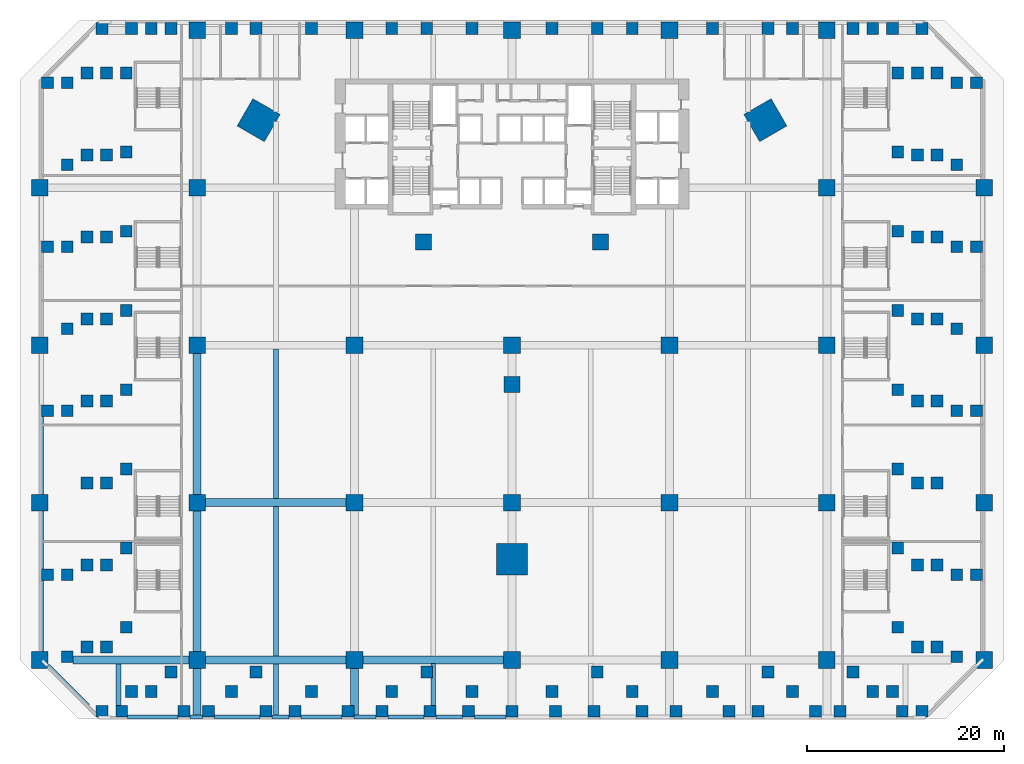
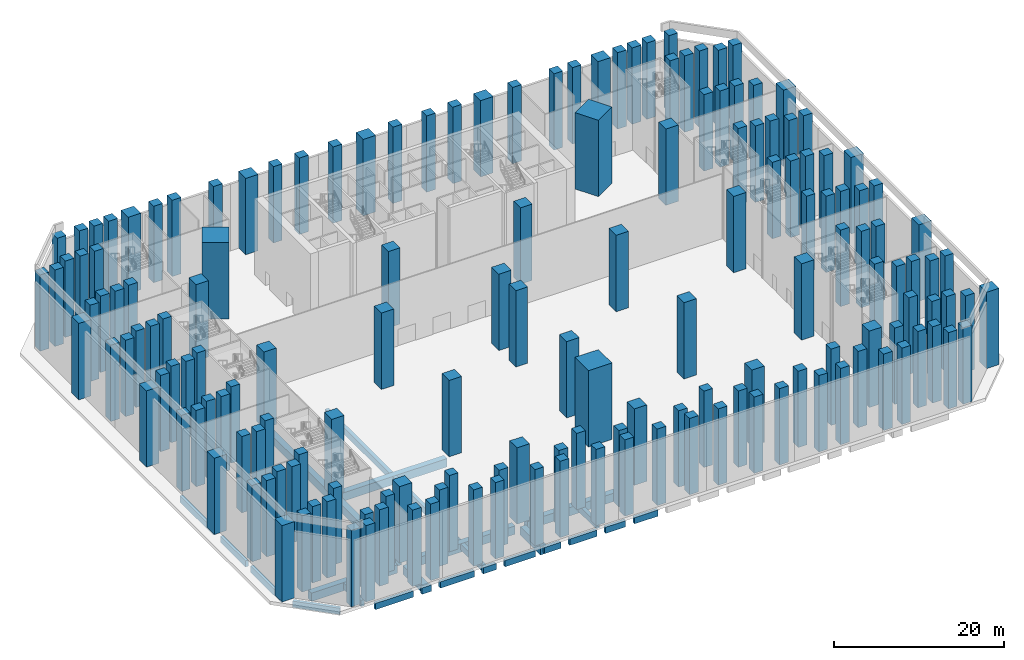
# One storey, part 1 of 31: 165 columns, 26 beams.
"""IFC4 building model written with IfcOpenShell, lengths in metres."""

from ifc_helpers import new_model, si_unit, direction, frame, origin, origin_2d, place, context, subcontext, project, spatial, rectangle, extrude, material, material_profile, profile_set, type_object, element, save


model = new_model("IFC4")

# Units and contexts
model_context = context("Model", 3, precision=1e-05, world=origin(), true_north=direction((0.0, 1.0)))
body_context = subcontext(model_context, "Body", "Model", "MODEL_VIEW")
ifc_project = project(units=[si_unit("LENGTHUNIT", "METRE"), si_unit("AREAUNIT", "SQUARE_METRE"), si_unit("VOLUMEUNIT", "CUBIC_METRE"), si_unit("PLANEANGLEUNIT", "RADIAN"), si_unit("MASSUNIT", "GRAM", prefix="KILO")], contexts=[model_context])

# Site, building, storey
site_placement = place(None, origin())
site = spatial("IfcSite", under=ifc_project, at=site_placement, CompositionType="ELEMENT")
building_placement = place(site_placement, origin())
building = spatial("IfcBuilding", under=site, at=building_placement, Name="Calabash Gate Tower", CompositionType="ELEMENT")
storey_placement = place(building_placement, frame((0.0, 0.0, 9.0)))
storey = spatial("IfcBuildingStorey", under=building, at=storey_placement, Name="L01", CompositionType="ELEMENT", Elevation=9.0)

# Columns
ifc_material_1 = material(Name="Concrete C80/95", Category="concrete")
ifc_material_profile_1 = material_profile(ifc_material_1, rectangle(XDim=1.60009765625, YDim=1.60009765625, at=origin_2d()))
ifc_profile_set_1 = profile_set([ifc_material_profile_1], Name="Concrete C80/95")
column_type_1 = type_object("IfcColumnType", Name="Interior column RC 1600x1600 Concrete C80/95", PredefinedType="COLUMN", material=ifc_profile_set_1)
for number, where, z_axis, x_axis, name in (
    (1, (-9.0, 2.5, 0.0), (0.0, 0.0, 1.0), (1.0, 0.0, 0.0), "Interior column L01 I0"),
    (2, (9.0, 2.5, 0.0), (0.0, 0.0, 1.0), (1.0, 0.0, 0.0), "Interior column L01 I1"),
    (3, (0.0, -12.0, 0.0), (0.0, 0.0, 1.0), (1.0, 0.0, 0.0), "Interior column L01 I2"),
):
    element("IfcColumn", number, at=place(storey_placement, frame(where, z_axis=z_axis, x_axis=x_axis)), inside=storey, type_object=column_type_1, Name=name, PredefinedType="COLUMN", context=body_context, shape_type="SweptSolid", body=[
        extrude(rectangle(XDim=1.60009765625, YDim=1.60009765625, at=origin_2d()), origin(), (0.0, 0.0, 1.0), 11.0),
    ])
ifc_material_2 = material(Name="Concrete C80/95", Category="concrete")
ifc_material_profile_2 = material_profile(ifc_material_2, rectangle(XDim=3.199951171875, YDim=3.199951171875, at=origin_2d()))
ifc_profile_set_2 = profile_set([ifc_material_profile_2], Name="Concrete C80/95")
column_type_2 = type_object("IfcColumnType", Name="Mega column RC 3200x3200 Concrete C80/95", PredefinedType="COLUMN", material=ifc_profile_set_2)
for number, where, z_axis, x_axis, name in (
    (4, (-25.75, 14.866943359375, 0.0), (0.0, 0.0, 1.0), (0.866025386331, -0.50000003023, 0.0), "Mega column L01 NW"),
    (5, (25.75, 14.866943359375, 0.0), (0.0, 0.0, 1.0), (-0.866025386331, -0.50000003023, 0.0), "Mega column L01 NE"),
    (6, (0.0, -29.73291015625, 0.0), (0.0, 0.0, 1.0), (0.0, 1.0, 0.0), "Mega column L01 S"),
):
    element("IfcColumn", number, at=place(storey_placement, frame(where, z_axis=z_axis, x_axis=x_axis)), inside=storey, type_object=column_type_2, Name=name, PredefinedType="COLUMN", context=body_context, shape_type="SweptSolid", body=[
        extrude(rectangle(XDim=3.199951171875, YDim=3.199951171875, at=origin_2d()), origin(), (0.0, 0.0, 1.0), 11.0),
    ])
ifc_material_3 = material(Name="Concrete C80/95", Category="concrete")
ifc_material_profile_3 = material_profile(ifc_material_3, rectangle(XDim=1.699951171875, YDim=1.699951171875, at=origin_2d()))
ifc_profile_set_3 = profile_set([ifc_material_profile_3], Name="Concrete C80/95")
column_type_3 = type_object("IfcColumnType", Name="Podium column RC 1700x1700 Concrete C80/95", PredefinedType="COLUMN", material=ifc_profile_set_3)
for number, where, z_axis, x_axis, name in (
    (7, (-48.0, -40.0, 0.0), (0.0, 0.0, 1.0), (1.0, 0.0, 0.0), "Podium column L01 G1A"),
    (8, (-48.0, -24.0, 0.0), (0.0, 0.0, 1.0), (1.0, 0.0, 0.0), "Podium column L01 G1B"),
    (9, (-48.0, -8.0, 0.0), (0.0, 0.0, 1.0), (1.0, 0.0, 0.0), "Podium column L01 G1C"),
    (10, (-48.0, 8.0, 0.0), (0.0, 0.0, 1.0), (1.0, 0.0, 0.0), "Podium column L01 G1D"),
    (11, (-32.0, -40.0, 0.0), (0.0, 0.0, 1.0), (1.0, 0.0, 0.0), "Podium column L01 G2A"),
    (12, (-32.0, -24.0, 0.0), (0.0, 0.0, 1.0), (1.0, 0.0, 0.0), "Podium column L01 G2B"),
    (13, (-32.0, -8.0, 0.0), (0.0, 0.0, 1.0), (1.0, 0.0, 0.0), "Podium column L01 G2C"),
    (14, (-32.0, 8.0, 0.0), (0.0, 0.0, 1.0), (1.0, 0.0, 0.0), "Podium column L01 G2D"),
    (15, (-32.0, 24.0, 0.0), (0.0, 0.0, 1.0), (1.0, 0.0, 0.0), "Podium column L01 G2E"),
    (16, (-16.0, -40.0, 0.0), (0.0, 0.0, 1.0), (1.0, 0.0, 0.0), "Podium column L01 G3A"),
    (17, (-16.0, -24.0, 0.0), (0.0, 0.0, 1.0), (1.0, 0.0, 0.0), "Podium column L01 G3B"),
    (18, (-16.0, -8.0, 0.0), (0.0, 0.0, 1.0), (1.0, 0.0, 0.0), "Podium column L01 G3C"),
    (19, (-16.0, 24.0, 0.0), (0.0, 0.0, 1.0), (1.0, 0.0, 0.0), "Podium column L01 G3E"),
    (20, (0.0, -40.0, 0.0), (0.0, 0.0, 1.0), (1.0, 0.0, 0.0), "Podium column L01 G4A"),
    (21, (0.0, -24.0, 0.0), (0.0, 0.0, 1.0), (1.0, 0.0, 0.0), "Podium column L01 G4B"),
    (22, (0.0, -8.0, 0.0), (0.0, 0.0, 1.0), (1.0, 0.0, 0.0), "Podium column L01 G4C"),
    (23, (0.0, 24.0, 0.0), (0.0, 0.0, 1.0), (1.0, 0.0, 0.0), "Podium column L01 G4E"),
    (24, (16.0, -40.0, 0.0), (0.0, 0.0, 1.0), (1.0, 0.0, 0.0), "Podium column L01 G5A"),
    (25, (16.0, -24.0, 0.0), (0.0, 0.0, 1.0), (1.0, 0.0, 0.0), "Podium column L01 G5B"),
    (26, (16.0, -8.0, 0.0), (0.0, 0.0, 1.0), (1.0, 0.0, 0.0), "Podium column L01 G5C"),
    (27, (16.0, 24.0, 0.0), (0.0, 0.0, 1.0), (1.0, 0.0, 0.0), "Podium column L01 G5E"),
    (28, (32.0, -40.0, 0.0), (0.0, 0.0, 1.0), (1.0, 0.0, 0.0), "Podium column L01 G6A"),
    (29, (32.0, -24.0, 0.0), (0.0, 0.0, 1.0), (1.0, 0.0, 0.0), "Podium column L01 G6B"),
    (30, (32.0, -8.0, 0.0), (0.0, 0.0, 1.0), (1.0, 0.0, 0.0), "Podium column L01 G6C"),
    (31, (32.0, 8.0, 0.0), (0.0, 0.0, 1.0), (1.0, 0.0, 0.0), "Podium column L01 G6D"),
    (32, (32.0, 24.0, 0.0), (0.0, 0.0, 1.0), (1.0, 0.0, 0.0), "Podium column L01 G6E"),
    (33, (48.0, -40.0, 0.0), (0.0, 0.0, 1.0), (1.0, 0.0, 0.0), "Podium column L01 G7A"),
    (34, (48.0, -24.0, 0.0), (0.0, 0.0, 1.0), (1.0, 0.0, 0.0), "Podium column L01 G7B"),
    (35, (48.0, -8.0, 0.0), (0.0, 0.0, 1.0), (1.0, 0.0, 0.0), "Podium column L01 G7C"),
    (36, (48.0, 8.0, 0.0), (0.0, 0.0, 1.0), (1.0, 0.0, 0.0), "Podium column L01 G7D"),
):
    element("IfcColumn", number, at=place(storey_placement, frame(where, z_axis=z_axis, x_axis=x_axis)), inside=storey, type_object=column_type_3, Name=name, PredefinedType="COLUMN", context=body_context, shape_type="SweptSolid", body=[
        extrude(rectangle(XDim=1.699951171875, YDim=1.699951171875, at=origin_2d()), origin(), (0.0, 0.0, 1.0), 11.0),
    ])
ifc_material_4 = material(Name="Concrete C80/95", Category="concrete")
ifc_material_profile_4 = material_profile(ifc_material_4, rectangle(XDim=1.199951171875, YDim=1.199951171875, at=origin_2d()))
ifc_profile_set_4 = profile_set([ifc_material_profile_4], Name="Concrete C80/95")
column_type_4 = type_object("IfcColumnType", Name="Podium edge column RC 1200x1200 Concrete C80/95", PredefinedType="COLUMN", material=ifc_profile_set_4)
for number, where, z_axis, x_axis, name in (
    (37, (-34.6689453125, -41.199951171875, 0.0), (0.0, 0.0, 1.0), (1.0, 0.0, 0.0), "Podium edge column L01 E01"),
    (38, (-39.199951171875, -36.6689453125, 0.0), (0.0, 0.0, 1.0), (1.0, 0.0, 0.0), "Podium edge column L01 E02"),
    (39, (-39.199951171875, 19.6689453125, 0.0), (0.0, 0.0, 1.0), (1.0, 0.0, 0.0), "Podium edge column L01 E03"),
    (40, (-34.6689453125, 24.199951171875, 0.0), (0.0, 0.0, 1.0), (1.0, 0.0, 0.0), "Podium edge column L01 E04"),
    (41, (34.6689453125, 24.199951171875, 0.0), (0.0, 0.0, 1.0), (1.0, 0.0, 0.0), "Podium edge column L01 E05"),
    (42, (39.199951171875, 19.6689453125, 0.0), (0.0, 0.0, 1.0), (1.0, 0.0, 0.0), "Podium edge column L01 E06"),
    (43, (39.199951171875, -36.6689453125, 0.0), (0.0, 0.0, 1.0), (1.0, 0.0, 0.0), "Podium edge column L01 E07"),
    (44, (34.6689453125, -41.199951171875, 0.0), (0.0, 0.0, 1.0), (1.0, 0.0, 0.0), "Podium edge column L01 E08"),
    (45, (-39.199951171875, -28.6201171875, 0.0), (0.0, 0.0, 1.0), (1.0, 0.0, 0.0), "Podium edge column L01 E09"),
    (46, (-39.199951171875, -20.572021484375, 0.0), (0.0, 0.0, 1.0), (1.0, 0.0, 0.0), "Podium edge column L01 E10"),
    (47, (-39.199951171875, -12.52392578125, 0.0), (0.0, 0.0, 1.0), (1.0, 0.0, 0.0), "Podium edge column L01 E11"),
    (48, (-39.199951171875, -4.47607421875, 0.0), (0.0, 0.0, 1.0), (1.0, 0.0, 0.0), "Podium edge column L01 E12"),
    (49, (-39.199951171875, 3.572021484375, 0.0), (0.0, 0.0, 1.0), (1.0, 0.0, 0.0), "Podium edge column L01 E13"),
    (50, (-39.199951171875, 11.6201171875, 0.0), (0.0, 0.0, 1.0), (1.0, 0.0, 0.0), "Podium edge column L01 E14"),
    (51, (-26.001953125, 24.199951171875, 0.0), (0.0, 0.0, 1.0), (1.0, 0.0, 0.0), "Podium edge column L01 E15"),
    (52, (-8.6669921875, 24.199951171875, 0.0), (0.0, 0.0, 1.0), (1.0, 0.0, 0.0), "Podium edge column L01 E16"),
    (53, (8.6669921875, 24.199951171875, 0.0), (0.0, 0.0, 1.0), (1.0, 0.0, 0.0), "Podium edge column L01 E17"),
    (54, (26.001953125, 24.199951171875, 0.0), (0.0, 0.0, 1.0), (1.0, 0.0, 0.0), "Podium edge column L01 E18"),
    (55, (39.199951171875, 11.6201171875, 0.0), (0.0, 0.0, 1.0), (1.0, 0.0, 0.0), "Podium edge column L01 E19"),
    (56, (39.199951171875, 3.572021484375, 0.0), (0.0, 0.0, 1.0), (1.0, 0.0, 0.0), "Podium edge column L01 E20"),
    (57, (39.199951171875, -4.47607421875, 0.0), (0.0, 0.0, 1.0), (1.0, 0.0, 0.0), "Podium edge column L01 E21"),
    (58, (39.199951171875, -12.52392578125, 0.0), (0.0, 0.0, 1.0), (1.0, 0.0, 0.0), "Podium edge column L01 E22"),
    (59, (39.199951171875, -20.572021484375, 0.0), (0.0, 0.0, 1.0), (1.0, 0.0, 0.0), "Podium edge column L01 E23"),
    (60, (39.199951171875, -28.6201171875, 0.0), (0.0, 0.0, 1.0), (1.0, 0.0, 0.0), "Podium edge column L01 E24"),
    (61, (26.001953125, -41.199951171875, 0.0), (0.0, 0.0, 1.0), (1.0, 0.0, 0.0), "Podium edge column L01 E25"),
    (62, (8.6669921875, -41.199951171875, 0.0), (0.0, 0.0, 1.0), (1.0, 0.0, 0.0), "Podium edge column L01 E26"),
    (63, (-8.6669921875, -41.199951171875, 0.0), (0.0, 0.0, 1.0), (1.0, 0.0, 0.0), "Podium edge column L01 E27"),
    (64, (-26.001953125, -41.199951171875, 0.0), (0.0, 0.0, 1.0), (1.0, 0.0, 0.0), "Podium edge column L01 E28"),
    (65, (-36.6689453125, -43.199951171875, 0.0), (0.0, 0.0, 1.0), (1.0, 0.0, 0.0), "Podium edge column L01 E29"),
    (66, (-41.199951171875, -38.6689453125, 0.0), (0.0, 0.0, 1.0), (1.0, 0.0, 0.0), "Podium edge column L01 E30"),
    (67, (-41.199951171875, 19.6689453125, 0.0), (0.0, 0.0, 1.0), (1.0, 0.0, 0.0), "Podium edge column L01 E31"),
    (68, (-36.6689453125, 24.199951171875, 0.0), (0.0, 0.0, 1.0), (1.0, 0.0, 0.0), "Podium edge column L01 E32"),
    (69, (36.6689453125, 24.199951171875, 0.0), (0.0, 0.0, 1.0), (1.0, 0.0, 0.0), "Podium edge column L01 E33"),
    (70, (41.199951171875, 19.6689453125, 0.0), (0.0, 0.0, 1.0), (1.0, 0.0, 0.0), "Podium edge column L01 E34"),
    (71, (41.199951171875, -38.6689453125, 0.0), (0.0, 0.0, 1.0), (1.0, 0.0, 0.0), "Podium edge column L01 E35"),
    (72, (36.6689453125, -43.199951171875, 0.0), (0.0, 0.0, 1.0), (1.0, 0.0, 0.0), "Podium edge column L01 E36"),
    (73, (-41.199951171875, -30.3330078125, 0.0), (0.0, 0.0, 1.0), (1.0, 0.0, 0.0), "Podium edge column L01 E37"),
    (74, (-41.199951171875, -22.0009765625, 0.0), (0.0, 0.0, 1.0), (1.0, 0.0, 0.0), "Podium edge column L01 E38"),
    (75, (-41.199951171875, -13.6669921875, 0.0), (0.0, 0.0, 1.0), (1.0, 0.0, 0.0), "Podium edge column L01 E39"),
    (76, (-41.199951171875, -5.3330078125, 0.0), (0.0, 0.0, 1.0), (1.0, 0.0, 0.0), "Podium edge column L01 E40"),
    (77, (-41.199951171875, 3.0009765625, 0.0), (0.0, 0.0, 1.0), (1.0, 0.0, 0.0), "Podium edge column L01 E41"),
    (78, (-41.199951171875, 11.3369140625, 0.0), (0.0, 0.0, 1.0), (1.0, 0.0, 0.0), "Podium edge column L01 E42"),
    (79, (-28.52001953125, 24.199951171875, 0.0), (0.0, 0.0, 1.0), (1.0, 0.0, 0.0), "Podium edge column L01 E43"),
    (80, (-20.3720703125, 24.199951171875, 0.0), (0.0, 0.0, 1.0), (1.0, 0.0, 0.0), "Podium edge column L01 E44"),
    (81, (-12.222900390625, 24.199951171875, 0.0), (0.0, 0.0, 1.0), (1.0, 0.0, 0.0), "Podium edge column L01 E45"),
    (82, (-4.073974609375, 24.199951171875, 0.0), (0.0, 0.0, 1.0), (1.0, 0.0, 0.0), "Podium edge column L01 E46"),
    (83, (4.073974609375, 24.199951171875, 0.0), (0.0, 0.0, 1.0), (1.0, 0.0, 0.0), "Podium edge column L01 E47"),
    (84, (12.222900390625, 24.199951171875, 0.0), (0.0, 0.0, 1.0), (1.0, 0.0, 0.0), "Podium edge column L01 E48"),
    (85, (20.3720703125, 24.199951171875, 0.0), (0.0, 0.0, 1.0), (1.0, 0.0, 0.0), "Podium edge column L01 E49"),
    (86, (28.52001953125, 24.199951171875, 0.0), (0.0, 0.0, 1.0), (1.0, 0.0, 0.0), "Podium edge column L01 E50"),
    (87, (41.199951171875, 11.3369140625, 0.0), (0.0, 0.0, 1.0), (1.0, 0.0, 0.0), "Podium edge column L01 E51"),
    (88, (41.199951171875, 3.0009765625, 0.0), (0.0, 0.0, 1.0), (1.0, 0.0, 0.0), "Podium edge column L01 E52"),
    (89, (41.199951171875, -5.3330078125, 0.0), (0.0, 0.0, 1.0), (1.0, 0.0, 0.0), "Podium edge column L01 E53"),
    (90, (41.199951171875, -13.6669921875, 0.0), (0.0, 0.0, 1.0), (1.0, 0.0, 0.0), "Podium edge column L01 E54"),
    (91, (41.199951171875, -22.0009765625, 0.0), (0.0, 0.0, 1.0), (1.0, 0.0, 0.0), "Podium edge column L01 E55"),
    (92, (41.199951171875, -30.3330078125, 0.0), (0.0, 0.0, 1.0), (1.0, 0.0, 0.0), "Podium edge column L01 E56"),
    (93, (28.52001953125, -43.199951171875, 0.0), (0.0, 0.0, 1.0), (1.0, 0.0, 0.0), "Podium edge column L01 E57"),
    (94, (20.3720703125, -43.199951171875, 0.0), (0.0, 0.0, 1.0), (1.0, 0.0, 0.0), "Podium edge column L01 E58"),
    (95, (12.222900390625, -43.199951171875, 0.0), (0.0, 0.0, 1.0), (1.0, 0.0, 0.0), "Podium edge column L01 E59"),
    (96, (4.073974609375, -43.199951171875, 0.0), (0.0, 0.0, 1.0), (1.0, 0.0, 0.0), "Podium edge column L01 E60"),
    (97, (-4.073974609375, -43.199951171875, 0.0), (0.0, 0.0, 1.0), (1.0, 0.0, 0.0), "Podium edge column L01 E61"),
    (98, (-12.222900390625, -43.199951171875, 0.0), (0.0, 0.0, 1.0), (1.0, 0.0, 0.0), "Podium edge column L01 E62"),
    (99, (-20.3720703125, -43.199951171875, 0.0), (0.0, 0.0, 1.0), (1.0, 0.0, 0.0), "Podium edge column L01 E63"),
    (100, (-28.52001953125, -43.199951171875, 0.0), (0.0, 0.0, 1.0), (1.0, 0.0, 0.0), "Podium edge column L01 E64"),
    (101, (-38.6689453125, -43.199951171875, 0.0), (0.0, 0.0, 1.0), (1.0, 0.0, 0.0), "Podium edge column L01 E65"),
    (102, (-43.199951171875, -38.6689453125, 0.0), (0.0, 0.0, 1.0), (1.0, 0.0, 0.0), "Podium edge column L01 E66"),
    (103, (-43.199951171875, 19.6689453125, 0.0), (0.0, 0.0, 1.0), (1.0, 0.0, 0.0), "Podium edge column L01 E67"),
    (104, (-38.6689453125, 24.199951171875, 0.0), (0.0, 0.0, 1.0), (1.0, 0.0, 0.0), "Podium edge column L01 E68"),
    (105, (38.6689453125, 24.199951171875, 0.0), (0.0, 0.0, 1.0), (1.0, 0.0, 0.0), "Podium edge column L01 E69"),
    (106, (43.199951171875, 19.6689453125, 0.0), (0.0, 0.0, 1.0), (1.0, 0.0, 0.0), "Podium edge column L01 E70"),
    (107, (43.199951171875, -38.6689453125, 0.0), (0.0, 0.0, 1.0), (1.0, 0.0, 0.0), "Podium edge column L01 E71"),
    (108, (38.6689453125, -43.199951171875, 0.0), (0.0, 0.0, 1.0), (1.0, 0.0, 0.0), "Podium edge column L01 E72"),
    (109, (-43.199951171875, -30.3330078125, 0.0), (0.0, 0.0, 1.0), (1.0, 0.0, 0.0), "Podium edge column L01 E73"),
    (110, (-43.199951171875, -22.0009765625, 0.0), (0.0, 0.0, 1.0), (1.0, 0.0, 0.0), "Podium edge column L01 E74"),
    (111, (-43.199951171875, -13.6669921875, 0.0), (0.0, 0.0, 1.0), (1.0, 0.0, 0.0), "Podium edge column L01 E75"),
    (112, (-43.199951171875, -5.3330078125, 0.0), (0.0, 0.0, 1.0), (1.0, 0.0, 0.0), "Podium edge column L01 E76"),
    (113, (-43.199951171875, 3.0009765625, 0.0), (0.0, 0.0, 1.0), (1.0, 0.0, 0.0), "Podium edge column L01 E77"),
    (114, (-43.199951171875, 11.3369140625, 0.0), (0.0, 0.0, 1.0), (1.0, 0.0, 0.0), "Podium edge column L01 E78"),
    (115, (43.199951171875, 11.3369140625, 0.0), (0.0, 0.0, 1.0), (1.0, 0.0, 0.0), "Podium edge column L01 E79"),
    (116, (43.199951171875, 3.0009765625, 0.0), (0.0, 0.0, 1.0), (1.0, 0.0, 0.0), "Podium edge column L01 E80"),
    (117, (43.199951171875, -5.3330078125, 0.0), (0.0, 0.0, 1.0), (1.0, 0.0, 0.0), "Podium edge column L01 E81"),
    (118, (43.199951171875, -13.6669921875, 0.0), (0.0, 0.0, 1.0), (1.0, 0.0, 0.0), "Podium edge column L01 E82"),
    (119, (43.199951171875, -22.0009765625, 0.0), (0.0, 0.0, 1.0), (1.0, 0.0, 0.0), "Podium edge column L01 E83"),
    (120, (43.199951171875, -30.3330078125, 0.0), (0.0, 0.0, 1.0), (1.0, 0.0, 0.0), "Podium edge column L01 E84"),
    (121, (-39.6689453125, -45.199951171875, 0.0), (0.0, 0.0, 1.0), (1.0, 0.0, 0.0), "Podium edge column L01 E85"),
    (122, (-45.199951171875, -39.6689453125, 0.0), (0.0, 0.0, 1.0), (1.0, 0.0, 0.0), "Podium edge column L01 E86"),
    (123, (-45.199951171875, 18.6689453125, 0.0), (0.0, 0.0, 1.0), (1.0, 0.0, 0.0), "Podium edge column L01 E87"),
    (124, (45.199951171875, 18.6689453125, 0.0), (0.0, 0.0, 1.0), (1.0, 0.0, 0.0), "Podium edge column L01 E88"),
    (125, (45.199951171875, -39.6689453125, 0.0), (0.0, 0.0, 1.0), (1.0, 0.0, 0.0), "Podium edge column L01 E89"),
    (126, (39.6689453125, -45.199951171875, 0.0), (0.0, 0.0, 1.0), (1.0, 0.0, 0.0), "Podium edge column L01 E90"),
    (127, (-45.199951171875, -31.3330078125, 0.0), (0.0, 0.0, 1.0), (1.0, 0.0, 0.0), "Podium edge column L01 E91"),
    (128, (-45.199951171875, -14.6669921875, 0.0), (0.0, 0.0, 1.0), (1.0, 0.0, 0.0), "Podium edge column L01 E92"),
    (129, (-45.199951171875, -6.3330078125, 0.0), (0.0, 0.0, 1.0), (1.0, 0.0, 0.0), "Podium edge column L01 E93"),
    (130, (-45.199951171875, 2.0009765625, 0.0), (0.0, 0.0, 1.0), (1.0, 0.0, 0.0), "Podium edge column L01 E94"),
    (131, (-45.199951171875, 10.3369140625, 0.0), (0.0, 0.0, 1.0), (1.0, 0.0, 0.0), "Podium edge column L01 E95"),
    (132, (45.199951171875, 10.3369140625, 0.0), (0.0, 0.0, 1.0), (1.0, 0.0, 0.0), "Podium edge column L01 E96"),
    (133, (45.199951171875, 2.0009765625, 0.0), (0.0, 0.0, 1.0), (1.0, 0.0, 0.0), "Podium edge column L01 E97"),
    (134, (45.199951171875, -6.3330078125, 0.0), (0.0, 0.0, 1.0), (1.0, 0.0, 0.0), "Podium edge column L01 E98"),
    (135, (45.199951171875, -14.6669921875, 0.0), (0.0, 0.0, 1.0), (1.0, 0.0, 0.0), "Podium edge column L01 E99"),
    (136, (45.199951171875, -31.3330078125, 0.0), (0.0, 0.0, 1.0), (1.0, 0.0, 0.0), "Podium edge column L01 E100"),
    (137, (30.85302734375, -45.199951171875, 0.0), (0.0, 0.0, 1.0), (1.0, 0.0, 0.0), "Podium edge column L01 E101"),
    (138, (22.0380859375, -45.199951171875, 0.0), (0.0, 0.0, 1.0), (1.0, 0.0, 0.0), "Podium edge column L01 E102"),
    (139, (13.222900390625, -45.199951171875, 0.0), (0.0, 0.0, 1.0), (1.0, 0.0, 0.0), "Podium edge column L01 E103"),
    (140, (4.407958984375, -45.199951171875, 0.0), (0.0, 0.0, 1.0), (1.0, 0.0, 0.0), "Podium edge column L01 E104"),
    (141, (-4.407958984375, -45.199951171875, 0.0), (0.0, 0.0, 1.0), (1.0, 0.0, 0.0), "Podium edge column L01 E105"),
    (142, (-13.222900390625, -45.199951171875, 0.0), (0.0, 0.0, 1.0), (1.0, 0.0, 0.0), "Podium edge column L01 E106"),
    (143, (-22.0380859375, -45.199951171875, 0.0), (0.0, 0.0, 1.0), (1.0, 0.0, 0.0), "Podium edge column L01 E107"),
    (144, (-30.85302734375, -45.199951171875, 0.0), (0.0, 0.0, 1.0), (1.0, 0.0, 0.0), "Podium edge column L01 E108"),
    (145, (-41.6689453125, -45.199951171875, 0.0), (0.0, 0.0, 1.0), (1.0, 0.0, 0.0), "Podium edge column L01 E109"),
    (146, (-47.199951171875, 18.6689453125, 0.0), (0.0, 0.0, 1.0), (1.0, 0.0, 0.0), "Podium edge column L01 E110"),
    (147, (-41.6689453125, 24.199951171875, 0.0), (0.0, 0.0, 1.0), (1.0, 0.0, 0.0), "Podium edge column L01 E111"),
    (148, (41.6689453125, 24.199951171875, 0.0), (0.0, 0.0, 1.0), (1.0, 0.0, 0.0), "Podium edge column L01 E112"),
    (149, (47.199951171875, 18.6689453125, 0.0), (0.0, 0.0, 1.0), (1.0, 0.0, 0.0), "Podium edge column L01 E113"),
    (150, (41.6689453125, -45.199951171875, 0.0), (0.0, 0.0, 1.0), (1.0, 0.0, 0.0), "Podium edge column L01 E114"),
    (151, (-47.199951171875, -31.3330078125, 0.0), (0.0, 0.0, 1.0), (1.0, 0.0, 0.0), "Podium edge column L01 E115"),
    (152, (-47.199951171875, -14.6669921875, 0.0), (0.0, 0.0, 1.0), (1.0, 0.0, 0.0), "Podium edge column L01 E116"),
    (153, (-47.199951171875, 2.0009765625, 0.0), (0.0, 0.0, 1.0), (1.0, 0.0, 0.0), "Podium edge column L01 E117"),
    (154, (47.199951171875, 2.0009765625, 0.0), (0.0, 0.0, 1.0), (1.0, 0.0, 0.0), "Podium edge column L01 E118"),
    (155, (47.199951171875, -14.6669921875, 0.0), (0.0, 0.0, 1.0), (1.0, 0.0, 0.0), "Podium edge column L01 E119"),
    (156, (47.199951171875, -31.3330078125, 0.0), (0.0, 0.0, 1.0), (1.0, 0.0, 0.0), "Podium edge column L01 E120"),
    (157, (33.3369140625, -45.199951171875, 0.0), (0.0, 0.0, 1.0), (1.0, 0.0, 0.0), "Podium edge column L01 E121"),
    (158, (25.0009765625, -45.199951171875, 0.0), (0.0, 0.0, 1.0), (1.0, 0.0, 0.0), "Podium edge column L01 E122"),
    (159, (16.66796875, -45.199951171875, 0.0), (0.0, 0.0, 1.0), (1.0, 0.0, 0.0), "Podium edge column L01 E123"),
    (160, (8.333984375, -45.199951171875, 0.0), (0.0, 0.0, 1.0), (1.0, 0.0, 0.0), "Podium edge column L01 E124"),
    (161, (0.0, -45.199951171875, 0.0), (0.0, 0.0, 1.0), (1.0, 0.0, 0.0), "Podium edge column L01 E125"),
    (162, (-8.333984375, -45.199951171875, 0.0), (0.0, 0.0, 1.0), (1.0, 0.0, 0.0), "Podium edge column L01 E126"),
    (163, (-16.66796875, -45.199951171875, 0.0), (0.0, 0.0, 1.0), (1.0, 0.0, 0.0), "Podium edge column L01 E127"),
    (164, (-25.0009765625, -45.199951171875, 0.0), (0.0, 0.0, 1.0), (1.0, 0.0, 0.0), "Podium edge column L01 E128"),
    (165, (-33.3330078125, -45.199951171875, 0.0), (0.0, 0.0, 1.0), (1.0, 0.0, 0.0), "Podium edge column L01 E129"),
):
    element("IfcColumn", number, at=place(storey_placement, frame(where, z_axis=z_axis, x_axis=x_axis)), inside=storey, type_object=column_type_4, Name=name, PredefinedType="COLUMN", context=body_context, shape_type="SweptSolid", body=[
        extrude(rectangle(XDim=1.199951171875, YDim=1.199951171875, at=origin_2d()), origin(), (0.0, 0.0, 1.0), 11.0),
    ])

# Beams
ifc_material_5 = material(Name="Concrete C50/60", Category="concrete")
ifc_material_profile_5 = material_profile(ifc_material_5, rectangle(XDim=0.39990234375, YDim=0.89990234375, at=origin_2d()))
ifc_profile_set_5 = profile_set([ifc_material_profile_5], Name="Concrete C50/60")
beam_type_1 = type_object("IfcBeamType", Name="Edge beam RC 400x900 Concrete C50/60", PredefinedType="BEAM", material=ifc_profile_set_5)
beam_1_placement = place(storey_placement, frame((-43.093017578125, -44.623046875, -0.949951171875), z_axis=(-0.707106781187, 0.707106781187, 0.0), x_axis=(-0.707106781187, -0.707106781187, 0.0)))
element("IfcBeam", 166, at=beam_1_placement, inside=storey, type_object=beam_type_1, Name="Edge beam L01 1", PredefinedType="BEAM", context=body_context, shape_type="SweptSolid", body=[
    extrude(rectangle(XDim=0.39990234375, YDim=0.89990234375, at=origin_2d()), origin(), (0.0, 0.0, 1.0), 5.77001953125),
])
beam_2_placement = place(storey_placement, frame((-47.800048828125, -39.14990234375, -0.949951171875), z_axis=(0.0, 1.0, 0.0), x_axis=(-1.0, 0.0, 0.0)))
element("IfcBeam", 167, at=beam_2_placement, inside=storey, type_object=beam_type_1, Name="Edge beam L01 2", PredefinedType="BEAM", context=body_context, shape_type="SweptSolid", body=[
    extrude(rectangle(XDim=0.39990234375, YDim=0.89990234375, at=origin_2d()), origin(), (0.0, 0.0, 1.0), 7.216796875),
])
beam_3_placement = place(storey_placement, frame((-47.800048828125, -30.73291015625, -0.949951171875), z_axis=(0.0, 1.0, 0.0), x_axis=(-1.0, 0.0, 0.0)))
element("IfcBeam", 168, at=beam_3_placement, inside=storey, type_object=beam_type_1, Name="Edge beam L01 3", PredefinedType="BEAM", context=body_context, shape_type="SweptSolid", body=[
    extrude(rectangle(XDim=0.39990234375, YDim=0.89990234375, at=origin_2d()), origin(), (0.0, 0.0, 1.0), 5.8828125),
])
beam_4_placement = place(storey_placement, frame((-47.800048828125, -23.14990234375, -0.949951171875), z_axis=(0.0, 1.0, 0.0), x_axis=(-1.0, 0.0, 0.0)))
element("IfcBeam", 169, at=beam_4_placement, inside=storey, type_object=beam_type_1, Name="Edge beam L01 4", PredefinedType="BEAM", context=body_context, shape_type="SweptSolid", body=[
    extrude(rectangle(XDim=0.39990234375, YDim=0.89990234375, at=origin_2d()), origin(), (0.0, 0.0, 1.0), 7.8828125),
])
beam_5_placement = place(storey_placement, frame((-0.60009765625, -45.800048828125, -0.949951171875), z_axis=(-1.0, 0.0, 0.0), x_axis=(0.0, -1.0, 0.0)))
element("IfcBeam", 170, at=beam_5_placement, inside=storey, type_object=beam_type_1, Name="Edge beam L01 48", PredefinedType="BEAM", context=body_context, shape_type="SweptSolid", body=[
    extrude(rectangle(XDim=0.39990234375, YDim=0.89990234375, at=origin_2d()), origin(), (0.0, 0.0, 1.0), 3.2080078125),
])
beam_6_placement = place(storey_placement, frame((-5.008056640625, -45.800048828125, -0.949951171875), z_axis=(-1.0, 0.0, 0.0), x_axis=(0.0, -1.0, 0.0)))
element("IfcBeam", 171, at=beam_6_placement, inside=storey, type_object=beam_type_1, Name="Edge beam L01 49", PredefinedType="BEAM", context=body_context, shape_type="SweptSolid", body=[
    extrude(rectangle(XDim=0.39990234375, YDim=0.89990234375, at=origin_2d()), origin(), (0.0, 0.0, 1.0), 2.725830078125),
])
beam_7_placement = place(storey_placement, frame((-8.93408203125, -45.800048828125, -0.949951171875), z_axis=(-1.0, 0.0, 0.0), x_axis=(0.0, -1.0, 0.0)))
element("IfcBeam", 172, at=beam_7_placement, inside=storey, type_object=beam_type_1, Name="Edge beam L01 50", PredefinedType="BEAM", context=body_context, shape_type="SweptSolid", body=[
    extrude(rectangle(XDim=0.39990234375, YDim=0.89990234375, at=origin_2d()), origin(), (0.0, 0.0, 1.0), 3.68896484375),
])
beam_8_placement = place(storey_placement, frame((-13.822998046875, -45.800048828125, -0.949951171875), z_axis=(-1.0, 0.0, 0.0), x_axis=(0.0, -1.0, 0.0)))
element("IfcBeam", 173, at=beam_8_placement, inside=storey, type_object=beam_type_1, Name="Edge beam L01 51", PredefinedType="BEAM", context=body_context, shape_type="SweptSolid", body=[
    extrude(rectangle(XDim=0.39990234375, YDim=0.89990234375, at=origin_2d()), origin(), (0.0, 0.0, 1.0), 2.243896484375),
])
beam_9_placement = place(storey_placement, frame((-17.26806640625, -45.800048828125, -0.949951171875), z_axis=(-1.0, 0.0, 0.0), x_axis=(0.0, -1.0, 0.0)))
element("IfcBeam", 174, at=beam_9_placement, inside=storey, type_object=beam_type_1, Name="Edge beam L01 52", PredefinedType="BEAM", context=body_context, shape_type="SweptSolid", body=[
    extrude(rectangle(XDim=0.39990234375, YDim=0.89990234375, at=origin_2d()), origin(), (0.0, 0.0, 1.0), 4.169921875),
])
beam_10_placement = place(storey_placement, frame((-22.637939453125, -45.800048828125, -0.949951171875), z_axis=(-1.0, 0.0, 0.0), x_axis=(0.0, -1.0, 0.0)))
element("IfcBeam", 175, at=beam_10_placement, inside=storey, type_object=beam_type_1, Name="Edge beam L01 53", PredefinedType="BEAM", context=body_context, shape_type="SweptSolid", body=[
    extrude(rectangle(XDim=0.39990234375, YDim=0.89990234375, at=origin_2d()), origin(), (0.0, 0.0, 1.0), 1.762939453125),
])
beam_11_placement = place(storey_placement, frame((-25.60107421875, -45.800048828125, -0.949951171875), z_axis=(-1.0, 0.0, 0.0), x_axis=(0.0, -1.0, 0.0)))
element("IfcBeam", 176, at=beam_11_placement, inside=storey, type_object=beam_type_1, Name="Edge beam L01 54", PredefinedType="BEAM", context=body_context, shape_type="SweptSolid", body=[
    extrude(rectangle(XDim=0.39990234375, YDim=0.89990234375, at=origin_2d()), origin(), (0.0, 0.0, 1.0), 4.65185546875),
])
beam_12_placement = place(storey_placement, frame((-31.452880859375, -45.800048828125, -0.949951171875), z_axis=(-1.0, 0.0, 0.0), x_axis=(0.0, -1.0, 0.0)))
element("IfcBeam", 177, at=beam_12_placement, inside=storey, type_object=beam_type_1, Name="Edge beam L01 55", PredefinedType="BEAM", context=body_context, shape_type="SweptSolid", body=[
    extrude(rectangle(XDim=0.39990234375, YDim=0.89990234375, at=origin_2d()), origin(), (0.0, 0.0, 1.0), 1.280029296875),
])
beam_13_placement = place(storey_placement, frame((-33.93310546875, -45.800048828125, -0.949951171875), z_axis=(-1.0, 0.0, 0.0), x_axis=(0.0, -1.0, 0.0)))
element("IfcBeam", 178, at=beam_13_placement, inside=storey, type_object=beam_type_1, Name="Edge beam L01 56", PredefinedType="BEAM", context=body_context, shape_type="SweptSolid", body=[
    extrude(rectangle(XDim=0.39990234375, YDim=0.89990234375, at=origin_2d()), origin(), (0.0, 0.0, 1.0), 5.135986328125),
])
ifc_material_6 = material(Name="Concrete C50/60", Category="concrete")
ifc_material_profile_6 = material_profile(ifc_material_6, rectangle(XDim=0.5, YDim=0.89990234375, at=origin_2d()))
ifc_profile_set_6 = profile_set([ifc_material_profile_6], Name="Concrete C50/60")
beam_type_2 = type_object("IfcBeamType", Name="Floor beam RC 500x900 Concrete C50/60", PredefinedType="BEAM", material=ifc_profile_set_6)
beam_14_placement = place(storey_placement, frame((-40.0, -44.60009765625, -0.949951171875), z_axis=(0.0, 1.0, 0.0), x_axis=(-1.0, 0.0, 0.0)))
element("IfcBeam", 179, at=beam_14_placement, inside=storey, type_object=beam_type_2, Name="Floor beam L01 1", PredefinedType="BEAM", context=body_context, shape_type="SweptSolid", body=[
    extrude(rectangle(XDim=0.5, YDim=0.89990234375, at=origin_2d()), origin(), (0.0, 0.0, 1.0), 4.2001953125),
])
beam_15_placement = place(storey_placement, frame((-24.0, -45.60009765625, -0.949951171875), z_axis=(0.0, 1.0, 0.0), x_axis=(-1.0, 0.0, 0.0)))
element("IfcBeam", 180, at=beam_15_placement, inside=storey, type_object=beam_type_2, Name="Floor beam L01 2", PredefinedType="BEAM", context=body_context, shape_type="SweptSolid", body=[
    extrude(rectangle(XDim=0.5, YDim=0.89990234375, at=origin_2d()), origin(), (0.0, 0.0, 1.0), 5.2001953125),
])
for number, where, z_axis, x_axis, name in (
    (181, (-24.0, -39.60009765625, -0.949951171875), (0.0, 1.0, 0.0), (-1.0, 0.0, 0.0), "Floor beam L01 3"),
    (182, (-24.0, -23.60009765625, -0.949951171875), (0.0, 1.0, 0.0), (-1.0, 0.0, 0.0), "Floor beam L01 4"),
):
    element("IfcBeam", number, at=place(storey_placement, frame(where, z_axis=z_axis, x_axis=x_axis)), inside=storey, type_object=beam_type_2, Name=name, PredefinedType="BEAM", context=body_context, shape_type="SweptSolid", body=[
        extrude(rectangle(XDim=0.5, YDim=0.89990234375, at=origin_2d()), origin(), (0.0, 0.0, 1.0), 15.2001953125),
    ])
beam_16_placement = place(storey_placement, frame((-8.0, -44.60009765625, -0.949951171875), z_axis=(0.0, 1.0, 0.0), x_axis=(-1.0, 0.0, 0.0)))
element("IfcBeam", 183, at=beam_16_placement, inside=storey, type_object=beam_type_2, Name="Floor beam L01 8", PredefinedType="BEAM", context=body_context, shape_type="SweptSolid", body=[
    extrude(rectangle(XDim=0.5, YDim=0.89990234375, at=origin_2d()), origin(), (0.0, 0.0, 1.0), 4.232177734375),
])
ifc_material_7 = material(Name="Concrete C50/60", Category="concrete")
ifc_material_profile_7 = material_profile(ifc_material_7, rectangle(XDim=0.800048828125, YDim=1.199951171875, at=origin_2d()))
ifc_profile_set_7 = profile_set([ifc_material_profile_7], Name="Concrete C50/60")
beam_type_3 = type_object("IfcBeamType", Name="Grid girder RC 800x1200 Concrete C50/60", PredefinedType="BEAM", material=ifc_profile_set_7)
beam_17_placement = place(storey_placement, frame((-32.0, -45.60009765625, -1.10009765625), z_axis=(0.0, 1.0, 0.0), x_axis=(-1.0, 0.0, 0.0)))
element("IfcBeam", 184, at=beam_17_placement, inside=storey, type_object=beam_type_3, Name="Grid girder L01 1", PredefinedType="BEAM", context=body_context, shape_type="SweptSolid", body=[
    extrude(rectangle(XDim=0.800048828125, YDim=1.199951171875, at=origin_2d()), origin(), (0.0, 0.0, 1.0), 4.75),
])
for number, where, z_axis, x_axis, name in (
    (185, (-32.0, -39.14990234375, -1.10009765625), (0.0, 1.0, 0.0), (-1.0, 0.0, 0.0), "Grid girder L01 2"),
    (186, (-32.0, -23.14990234375, -1.10009765625), (0.0, 1.0, 0.0), (-1.0, 0.0, 0.0), "Grid girder L01 3"),
):
    element("IfcBeam", number, at=place(storey_placement, frame(where, z_axis=z_axis, x_axis=x_axis)), inside=storey, type_object=beam_type_3, Name=name, PredefinedType="BEAM", context=body_context, shape_type="SweptSolid", body=[
        extrude(rectangle(XDim=0.800048828125, YDim=1.199951171875, at=origin_2d()), origin(), (0.0, 0.0, 1.0), 14.2998046875),
    ])
beam_18_placement = place(storey_placement, frame((-16.0, -45.632080078125, -1.10009765625), z_axis=(0.0, 1.0, 0.0), x_axis=(-1.0, 0.0, 0.0)))
element("IfcBeam", 187, at=beam_18_placement, inside=storey, type_object=beam_type_3, Name="Grid girder L01 6", PredefinedType="BEAM", context=body_context, shape_type="SweptSolid", body=[
    extrude(rectangle(XDim=0.800048828125, YDim=1.199951171875, at=origin_2d()), origin(), (0.0, 0.0, 1.0), 4.781982421875),
])
beam_19_placement = place(storey_placement, frame((-44.60009765625, -40.0, -1.10009765625), z_axis=(1.0, 0.0, 0.0), x_axis=(0.0, 1.0, 0.0)))
element("IfcBeam", 188, at=beam_19_placement, inside=storey, type_object=beam_type_3, Name="Grid girder L01 27", PredefinedType="BEAM", context=body_context, shape_type="SweptSolid", body=[
    extrude(rectangle(XDim=0.800048828125, YDim=1.199951171875, at=origin_2d()), origin(), (0.0, 0.0, 1.0), 11.75),
])
for number, where, z_axis, x_axis, name in (
    (189, (-31.14990234375, -40.0, -1.10009765625), (1.0, 0.0, 0.0), (0.0, 1.0, 0.0), "Grid girder L01 28"),
    (190, (-15.14990234375, -40.0, -1.10009765625), (1.0, 0.0, 0.0), (0.0, 1.0, 0.0), "Grid girder L01 29"),
    (191, (-31.14990234375, -24.0, -1.10009765625), (1.0, 0.0, 0.0), (0.0, 1.0, 0.0), "Grid girder L01 33"),
):
    element("IfcBeam", number, at=place(storey_placement, frame(where, z_axis=z_axis, x_axis=x_axis)), inside=storey, type_object=beam_type_3, Name=name, PredefinedType="BEAM", context=body_context, shape_type="SweptSolid", body=[
        extrude(rectangle(XDim=0.800048828125, YDim=1.199951171875, at=origin_2d()), origin(), (0.0, 0.0, 1.0), 14.2998046875),
    ])

save(model, "model.ifc")
